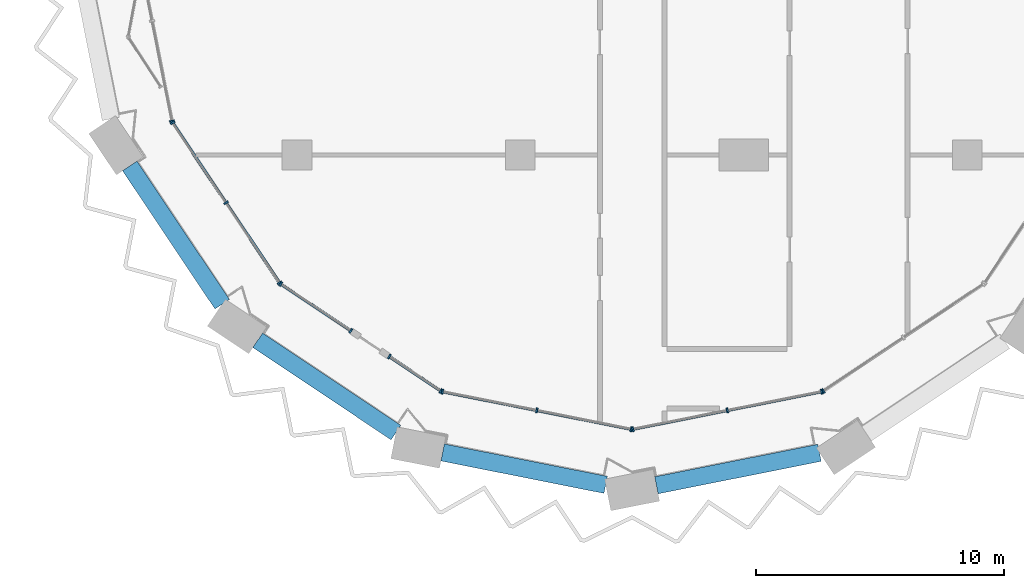
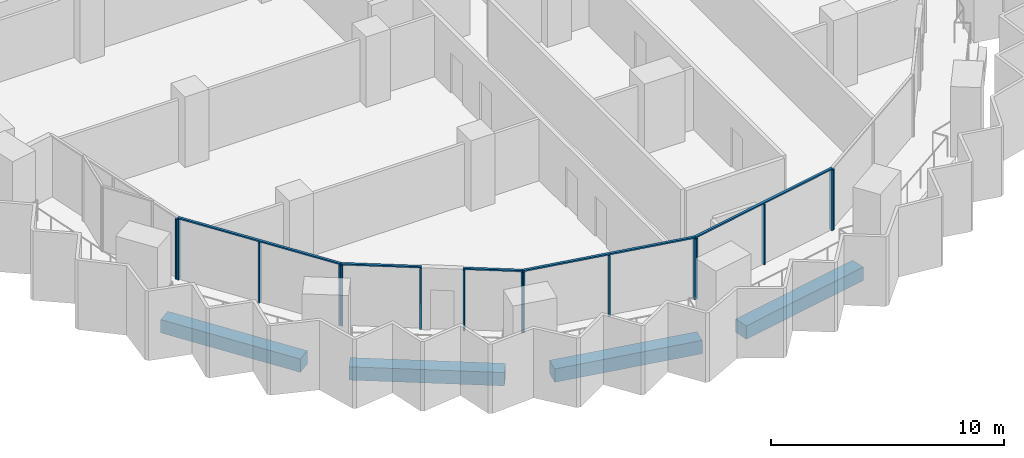
# One storey, part 2 of 22: 20 members, 4 beams, 7 elements without a shape of their own.
"""IFC4 building model written with IfcOpenShell, lengths in metres."""

from ifc_helpers import new_model, si_unit, direction, frame, origin, origin_2d, place, context, subcontext, project, spatial, rectangle, extrude, material, material_profile, profile_set, type_object, element, aggregate, save


model = new_model("IFC4")

# Units and contexts
model_context = context("Model", 3, precision=1e-05, world=origin(), true_north=direction((0.0, 1.0)))
body_context = subcontext(model_context, "Body", "Model", "MODEL_VIEW")
ifc_project = project(units=[si_unit("LENGTHUNIT", "METRE"), si_unit("AREAUNIT", "SQUARE_METRE"), si_unit("VOLUMEUNIT", "CUBIC_METRE"), si_unit("PLANEANGLEUNIT", "RADIAN"), si_unit("MASSUNIT", "GRAM", prefix="KILO")], contexts=[model_context])

# Site, building, storey
site_placement = place(None, origin())
site = spatial("IfcSite", under=ifc_project, at=site_placement, CompositionType="ELEMENT")
building_placement = place(site_placement, origin())
building = spatial("IfcBuilding", under=site, at=building_placement, Name="Hunhe Ridgeline Campus", CompositionType="ELEMENT")
storey_placement = place(building_placement, frame((0.0, 0.0, 174.5)))
storey = spatial("IfcBuildingStorey", under=building, at=storey_placement, Name="L44", CompositionType="ELEMENT", Elevation=174.5)

# Curtain wall, member
ifc_material_1 = material(Name="Aluminium 6063", Category="aluminium")
curtain_wall_type = type_object("IfcCurtainWallType", Name="Curtain wall CW-5", PredefinedType="NOTDEFINED", material=ifc_material_1)
curtain_wall_1_placement = place(storey_placement, origin())
curtain_wall_1 = element("IfcCurtainWall", 1, at=curtain_wall_1_placement, inside=storey, type_object=curtain_wall_type, Name="Curtain wall 01", PredefinedType="NOTDEFINED")
ifc_material_profile_1 = material_profile(ifc_material_1, rectangle(XDim=0.199951171875, YDim=0.070068359375, at=origin_2d()))
ifc_profile_set_1 = profile_set([ifc_material_profile_1], Name="Aluminium 6063")
member_type_1 = type_object("IfcMemberType", Name="CW-5 aluminium mullion", PredefinedType="MULLION", material=ifc_profile_set_1)
member_1_placement = place(storey_placement, frame((3.967529296875, 19.36083984375, 0.0), z_axis=(0.0, 0.0, 1.0), x_axis=(0.980784280831, 0.195095347137, 0.0)))
member_1 = element("IfcMember", 2, at=member_1_placement, type_object=member_type_1, Name="CW-5 mullion 3", PredefinedType="MULLION", context=body_context, shape_type="SweptSolid", body=[
    extrude(rectangle(XDim=0.199951171875, YDim=0.070068359375, at=origin_2d()), origin(), (0.0, 0.0, 1.0), 3.179931640625),
])
aggregate(curtain_wall_1, [member_1])

# Curtain wall, members
curtain_wall_2_placement = place(storey_placement, origin())
curtain_wall_2 = element("IfcCurtainWall", 3, at=curtain_wall_2_placement, inside=storey, type_object=curtain_wall_type, Name="Curtain wall 02", PredefinedType="NOTDEFINED")
member_2_placement = place(storey_placement, frame((3.993896484375, 19.29736328125, 0.0), z_axis=(0.0, 0.0, 1.0), x_axis=(0.831469584522, 0.555570274596, 0.0)))
member_2 = element("IfcMember", 4, at=member_2_placement, type_object=member_type_1, Name="CW-5 mullion 1", PredefinedType="MULLION", context=body_context, shape_type="SweptSolid", body=[
    extrude(rectangle(XDim=0.199951171875, YDim=0.070068359375, at=origin_2d()), origin(), (0.0, 0.0, 1.0), 3.179931640625),
])
member_3_placement = place(storey_placement, frame((6.147705078125, 16.07373046875, 0.0), z_axis=(0.0, 0.0, 1.0), x_axis=(0.831469584522, 0.555570274596, 0.0)))
member_3 = element("IfcMember", 5, at=member_3_placement, type_object=member_type_1, Name="CW-5 mullion 2", PredefinedType="MULLION", context=body_context, shape_type="SweptSolid", body=[
    extrude(rectangle(XDim=0.199951171875, YDim=0.070068359375, at=origin_2d()), origin(), (0.0, 0.0, 1.0), 3.179931640625),
])
member_4_placement = place(storey_placement, frame((8.3017578125, 12.850341796875, 0.0), z_axis=(0.0, 0.0, 1.0), x_axis=(0.831469584522, 0.555570274596, 0.0)))
member_4 = element("IfcMember", 6, at=member_4_placement, type_object=member_type_1, Name="CW-5 mullion 3", PredefinedType="MULLION", context=body_context, shape_type="SweptSolid", body=[
    extrude(rectangle(XDim=0.199951171875, YDim=0.070068359375, at=origin_2d()), origin(), (0.0, 0.0, 1.0), 3.179931640625),
])

curtain_wall_3_placement = place(storey_placement, origin())
curtain_wall_3 = element("IfcCurtainWall", 7, at=curtain_wall_3_placement, inside=storey, type_object=curtain_wall_type, Name="Curtain wall 03", PredefinedType="NOTDEFINED")
member_5_placement = place(storey_placement, frame((8.350341796875, 12.8017578125, 0.0), z_axis=(0.0, 0.0, 1.0), x_axis=(0.555570257501, 0.831469595944, 0.0)))
member_5 = element("IfcMember", 8, at=member_5_placement, type_object=member_type_1, Name="CW-5 mullion 1", PredefinedType="MULLION", context=body_context, shape_type="SweptSolid", body=[
    extrude(rectangle(XDim=0.199951171875, YDim=0.070068359375, at=origin_2d()), origin(), (0.0, 0.0, 1.0), 3.179931640625),
])
member_6_placement = place(storey_placement, frame((11.17041015625, 10.917236328125, 0.0), z_axis=(0.0, 0.0, 1.0), x_axis=(0.555570257501, 0.831469595944, 0.0)))
member_6 = element("IfcMember", 9, at=member_6_placement, type_object=member_type_1, Name="CW-5 mullion 2", PredefinedType="MULLION", context=body_context, shape_type="SweptSolid", body=[
    extrude(rectangle(XDim=0.199951171875, YDim=0.070068359375, at=origin_2d()), origin(), (0.0, 0.0, 1.0), 3.179931640625),
])

curtain_wall_4_placement = place(storey_placement, origin())
curtain_wall_4 = element("IfcCurtainWall", 10, at=curtain_wall_4_placement, inside=storey, type_object=curtain_wall_type, Name="Curtain wall 04", PredefinedType="NOTDEFINED")
member_7_placement = place(storey_placement, frame((12.725341796875, 9.87841796875, 0.0), z_axis=(0.0, 0.0, 1.0), x_axis=(0.555570385598, 0.831469510353, 0.0)))
member_7 = element("IfcMember", 11, at=member_7_placement, type_object=member_type_1, Name="CW-5 mullion 1", PredefinedType="MULLION", context=body_context, shape_type="SweptSolid", body=[
    extrude(rectangle(XDim=0.199951171875, YDim=0.070068359375, at=origin_2d()), origin(), (0.0, 0.0, 1.0), 3.179931640625),
])
member_8_placement = place(storey_placement, frame((14.79736328125, 8.493896484375, 0.0), z_axis=(0.0, 0.0, 1.0), x_axis=(0.555570385598, 0.831469510353, 0.0)))
member_8 = element("IfcMember", 12, at=member_8_placement, type_object=member_type_1, Name="CW-5 mullion 2", PredefinedType="MULLION", context=body_context, shape_type="SweptSolid", body=[
    extrude(rectangle(XDim=0.199951171875, YDim=0.070068359375, at=origin_2d()), origin(), (0.0, 0.0, 1.0), 3.179931640625),
])

curtain_wall_5_placement = place(storey_placement, origin())
curtain_wall_5 = element("IfcCurtainWall", 13, at=curtain_wall_5_placement, inside=storey, type_object=curtain_wall_type, Name="Curtain wall 05", PredefinedType="NOTDEFINED")
member_9_placement = place(storey_placement, frame((14.86083984375, 8.467529296875, 0.0), z_axis=(0.0, 0.0, 1.0), x_axis=(0.195090347539, 0.980785275326, 0.0)))
member_9 = element("IfcMember", 14, at=member_9_placement, type_object=member_type_1, Name="CW-5 mullion 1", PredefinedType="MULLION", context=body_context, shape_type="SweptSolid", body=[
    extrude(rectangle(XDim=0.199951171875, YDim=0.070068359375, at=origin_2d()), origin(), (0.0, 0.0, 1.0), 3.179931640625),
])
member_10_placement = place(storey_placement, frame((18.663330078125, 7.711181640625, 0.0), z_axis=(0.0, 0.0, 1.0), x_axis=(0.195090347539, 0.980785275326, 0.0)))
member_10 = element("IfcMember", 15, at=member_10_placement, type_object=member_type_1, Name="CW-5 mullion 2", PredefinedType="MULLION", context=body_context, shape_type="SweptSolid", body=[
    extrude(rectangle(XDim=0.199951171875, YDim=0.070068359375, at=origin_2d()), origin(), (0.0, 0.0, 1.0), 3.179931640625),
])
member_11_placement = place(storey_placement, frame((22.465576171875, 6.954833984375, 0.0), z_axis=(0.0, 0.0, 1.0), x_axis=(0.195090347539, 0.980785275326, 0.0)))
member_11 = element("IfcMember", 16, at=member_11_placement, type_object=member_type_1, Name="CW-5 mullion 3", PredefinedType="MULLION", context=body_context, shape_type="SweptSolid", body=[
    extrude(rectangle(XDim=0.199951171875, YDim=0.070068359375, at=origin_2d()), origin(), (0.0, 0.0, 1.0), 3.179931640625),
])

curtain_wall_6_placement = place(storey_placement, origin())
curtain_wall_6 = element("IfcCurtainWall", 17, at=curtain_wall_6_placement, inside=storey, type_object=curtain_wall_type, Name="Curtain wall 06", PredefinedType="NOTDEFINED")
member_12_placement = place(storey_placement, frame((22.534423828125, 6.954833984375, 0.0), z_axis=(0.0, 0.0, 1.0), x_axis=(-0.195090347539, 0.980785275326, 0.0)))
member_12 = element("IfcMember", 18, at=member_12_placement, type_object=member_type_1, Name="CW-5 mullion 1", PredefinedType="MULLION", context=body_context, shape_type="SweptSolid", body=[
    extrude(rectangle(XDim=0.199951171875, YDim=0.070068359375, at=origin_2d()), origin(), (0.0, 0.0, 1.0), 3.179931640625),
])
member_13_placement = place(storey_placement, frame((26.336669921875, 7.711181640625, 0.0), z_axis=(0.0, 0.0, 1.0), x_axis=(-0.195090347539, 0.980785275326, 0.0)))
member_13 = element("IfcMember", 19, at=member_13_placement, type_object=member_type_1, Name="CW-5 mullion 2", PredefinedType="MULLION", context=body_context, shape_type="SweptSolid", body=[
    extrude(rectangle(XDim=0.199951171875, YDim=0.070068359375, at=origin_2d()), origin(), (0.0, 0.0, 1.0), 3.179931640625),
])
member_14_placement = place(storey_placement, frame((30.13916015625, 8.467529296875, 0.0), z_axis=(0.0, 0.0, 1.0), x_axis=(-0.195090347539, 0.980785275326, 0.0)))
member_14 = element("IfcMember", 20, at=member_14_placement, type_object=member_type_1, Name="CW-5 mullion 3", PredefinedType="MULLION", context=body_context, shape_type="SweptSolid", body=[
    extrude(rectangle(XDim=0.199951171875, YDim=0.070068359375, at=origin_2d()), origin(), (0.0, 0.0, 1.0), 3.179931640625),
])

# Curtain wall, member
curtain_wall_7_placement = place(storey_placement, origin())
curtain_wall_7 = element("IfcCurtainWall", 21, at=curtain_wall_7_placement, inside=storey, type_object=curtain_wall_type, Name="Curtain wall 07", PredefinedType="NOTDEFINED")
member_15_placement = place(storey_placement, frame((30.20263671875, 8.493896484375, 0.0), z_axis=(0.0, 0.0, 1.0), x_axis=(-0.555570274596, 0.831469584522, 0.0)))
member_15 = element("IfcMember", 22, at=member_15_placement, type_object=member_type_1, Name="CW-5 mullion 1", PredefinedType="MULLION", context=body_context, shape_type="SweptSolid", body=[
    extrude(rectangle(XDim=0.199951171875, YDim=0.070068359375, at=origin_2d()), origin(), (0.0, 0.0, 1.0), 3.179931640625),
])
aggregate(curtain_wall_7, [member_15])

# Member
ifc_material_profile_2 = material_profile(ifc_material_1, rectangle(XDim=0.1201171875, YDim=0.070068359375, at=origin_2d()))
ifc_profile_set_2 = profile_set([ifc_material_profile_2], Name="Aluminium 6063")
member_type_2 = type_object("IfcMemberType", Name="CW-5 aluminium transom", PredefinedType="USERDEFINED", material=ifc_profile_set_2)
member_16_placement = place(storey_placement, frame((3.974365234375, 19.326416015625, 3.215087890625), z_axis=(0.5555640203, -0.831473763475, 0.0), x_axis=(0.831473763475, 0.5555640203, 0.0)))
member_16 = element("IfcMember", 23, at=member_16_placement, type_object=member_type_2, Name="CW-5 transom 1", ObjectType="TRANSOM", PredefinedType="USERDEFINED", context=body_context, shape_type="SweptSolid", body=[
    extrude(rectangle(XDim=0.1201171875, YDim=0.070068359375, at=origin_2d()), origin(), (0.0, 0.0, 1.0), 7.823974609375),
])

aggregate(curtain_wall_2, [member_16, member_2, member_3, member_4])

member_17_placement = place(storey_placement, frame((8.321044921875, 12.821044921875, 3.215087890625), z_axis=(0.831485714606, -0.555546133463, 0.0), x_axis=(0.555546133463, 0.831485714606, 0.0)))
member_17 = element("IfcMember", 24, at=member_17_placement, type_object=member_type_2, Name="CW-5 transom 1", ObjectType="TRANSOM", PredefinedType="USERDEFINED", context=body_context, shape_type="SweptSolid", body=[
    extrude(rectangle(XDim=0.1201171875, YDim=0.070068359375, at=origin_2d()), origin(), (0.0, 0.0, 1.0), 3.462158203125),
])

aggregate(curtain_wall_3, [member_17, member_5, member_6])

member_18_placement = place(storey_placement, frame((12.6962890625, 9.897705078125, 3.215087890625), z_axis=(0.831463388334, -0.555579547735, 0.0), x_axis=(0.555579547735, 0.831463388334, 0.0)))
member_18 = element("IfcMember", 25, at=member_18_placement, type_object=member_type_2, Name="CW-5 transom 1", ObjectType="TRANSOM", PredefinedType="USERDEFINED", context=body_context, shape_type="SweptSolid", body=[
    extrude(rectangle(XDim=0.1201171875, YDim=0.070068359375, at=origin_2d()), origin(), (0.0, 0.0, 1.0), 2.56201171875),
])

aggregate(curtain_wall_4, [member_18, member_7, member_8])

member_19_placement = place(storey_placement, frame((14.826416015625, 8.474365234375, 3.215087890625), z_axis=(0.980785367689, -0.195089883198, 0.0), x_axis=(0.195089883198, 0.980785367689, 0.0)))
member_19 = element("IfcMember", 26, at=member_19_placement, type_object=member_type_2, Name="CW-5 transom 1", ObjectType="TRANSOM", PredefinedType="USERDEFINED", context=body_context, shape_type="SweptSolid", body=[
    extrude(rectangle(XDim=0.1201171875, YDim=0.070068359375, at=origin_2d()), origin(), (0.0, 0.0, 1.0), 7.823974609375),
])

aggregate(curtain_wall_5, [member_19, member_9, member_10, member_11])

member_20_placement = place(storey_placement, frame((22.5, 6.947998046875, 3.215087890625), z_axis=(0.980785367689, 0.195089883198, 0.0), x_axis=(-0.195089883198, 0.980785367689, 0.0)))
member_20 = element("IfcMember", 27, at=member_20_placement, type_object=member_type_2, Name="CW-5 transom 1", ObjectType="TRANSOM", PredefinedType="USERDEFINED", context=body_context, shape_type="SweptSolid", body=[
    extrude(rectangle(XDim=0.1201171875, YDim=0.070068359375, at=origin_2d()), origin(), (0.0, 0.0, 1.0), 7.823974609375),
])

aggregate(curtain_wall_6, [member_20, member_12, member_13, member_14])

# Beams
ifc_material_2 = material(Name="Concrete C60", Category="concrete")
ifc_material_profile_3 = material_profile(ifc_material_2, rectangle(XDim=0.699951171875, YDim=0.699951171875, at=origin_2d()))
ifc_profile_set_3 = profile_set([ifc_material_profile_3], Name="Concrete C60")
beam_type = type_object("IfcBeamType", Name="RC spandrel beam 700x700 Concrete C60", PredefinedType="SPANDREL", material=ifc_profile_set_3)
for number, where, z_axis, x_axis, name in (
    (28, (2.268310546875, 17.55810546875, -0.60009765625), (0.555566447474, -0.831472141711, 0.0), (0.831472141711, 0.555566447474, 0.0), "Spandrel beam B2-2 L44"),
    (29, (7.421630859375, 10.534423828125, -0.60009765625), (0.831472141711, -0.555566447474, 0.0), (0.555566447474, 0.831472141711, 0.0), "Spandrel beam B2-3 L44"),
    (30, (14.870361328125, 6.017578125, -0.60009765625), (0.980787647999, -0.195078418929, 0.0), (0.195078418929, 0.980787647999, 0.0), "Spandrel beam B2-4 L44"),
    (31, (23.480712890625, 4.695068359375, -0.60009765625), (0.980787647999, 0.195078418929, 0.0), (-0.195078418929, 0.980787647999, 0.0), "Spandrel beam B2-5 L44"),
):
    element("IfcBeam", number, at=place(storey_placement, frame(where, z_axis=z_axis, x_axis=x_axis)), inside=storey, type_object=beam_type, Name=name, PredefinedType="SPANDREL", context=body_context, shape_type="SweptSolid", body=[
        extrude(rectangle(XDim=0.699951171875, YDim=0.699951171875, at=origin_2d()), origin(), (0.0, 0.0, 1.0), 6.69677734375),
    ])

save(model, "model.ifc")
